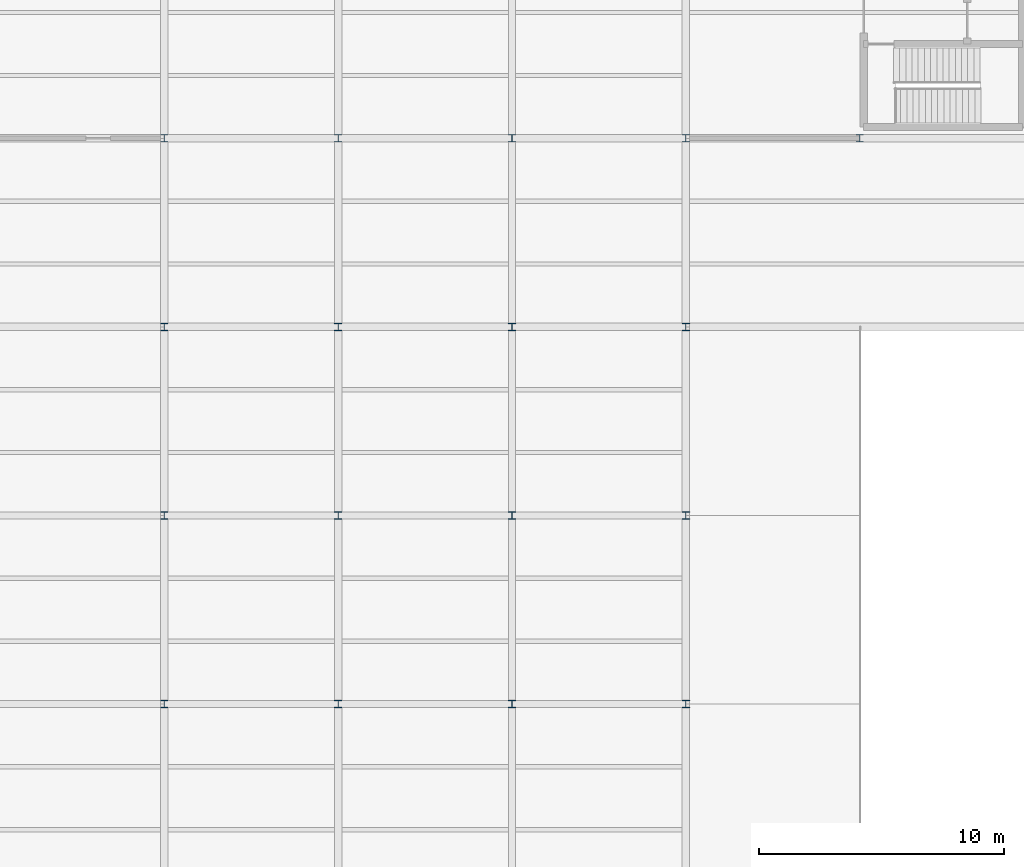
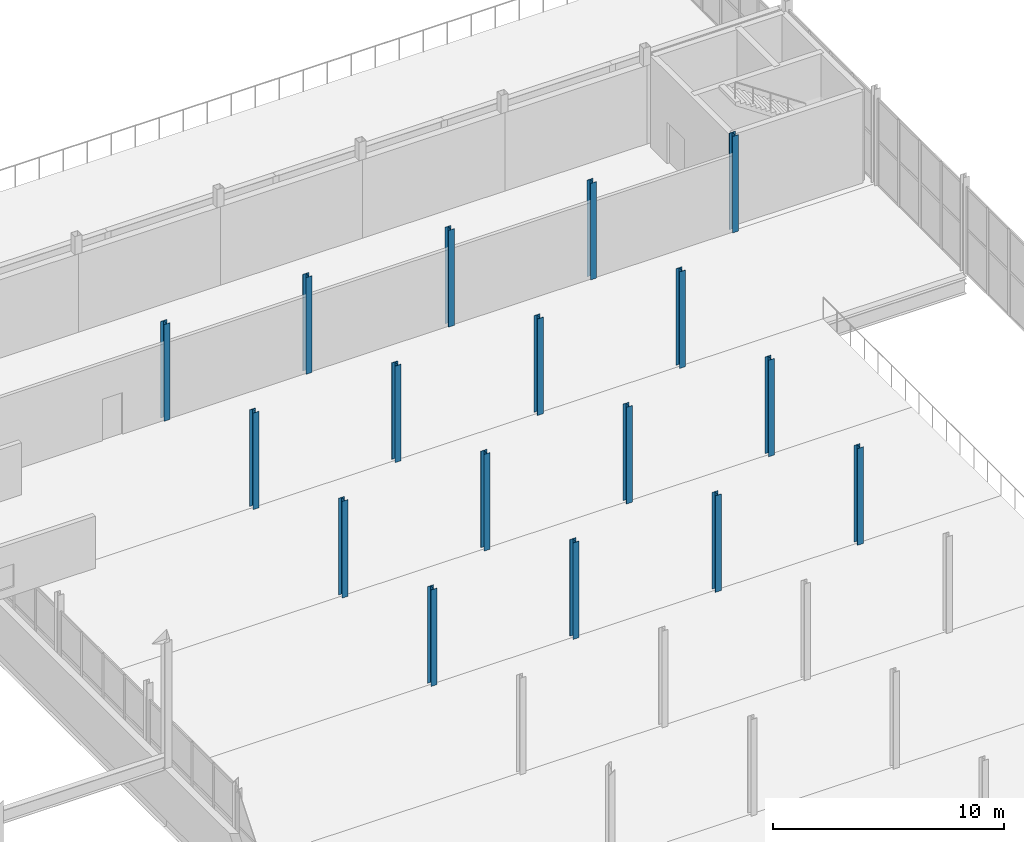
# One storey, part 22 of 218: 17 columns.
"""IFC4 building model written with IfcOpenShell, lengths in metres."""

from ifc_helpers import new_model, si_unit, direction, frame, origin, origin_2d, place, context, subcontext, project, spatial, i_section, extrude, material, material_profile, profile_set, type_object, element, save


model = new_model("IFC4")

# Units and contexts
model_context = context("Model", 3, precision=1e-05, world=origin(), true_north=direction((0.0, 1.0)))
body_context = subcontext(model_context, "Body", "Model", "MODEL_VIEW")
ifc_project = project(units=[si_unit("LENGTHUNIT", "METRE"), si_unit("AREAUNIT", "SQUARE_METRE"), si_unit("VOLUMEUNIT", "CUBIC_METRE"), si_unit("PLANEANGLEUNIT", "RADIAN"), si_unit("MASSUNIT", "GRAM", prefix="KILO")], contexts=[model_context])

# Site, building, storey
site_placement = place(None, origin())
site = spatial("IfcSite", under=ifc_project, at=site_placement, CompositionType="ELEMENT")
building_placement = place(site_placement, origin())
building = spatial("IfcBuilding", under=site, at=building_placement, Name="Kazenagashi Tramway Depot", CompositionType="ELEMENT")
storey_placement = place(building_placement, frame((0.0, 0.0, 6.0)))
storey = spatial("IfcBuildingStorey", under=building, at=storey_placement, Name="L02", CompositionType="ELEMENT", Elevation=6.0)

# Columns
ifc_material = material(Name="Steel SN490B", Category="steel")
ifc_material_profile = material_profile(ifc_material, i_section(OverallWidth=0.3, OverallDepth=0.3, WebThickness=0.01, FlangeThickness=0.015, at=origin_2d()), Name="H-300x300x10x15")
ifc_profile_set = profile_set([ifc_material_profile], Name="Steel SN490B")
column_type = type_object("IfcColumnType", Name="C-05", PredefinedType="COLUMN", material=ifc_profile_set)
for number, where, z_axis, x_axis, name in (
    (1, (160.5, 38.5, 0.0), (0.0, 0.0, 1.0), (1.0, 0.0, 0.0), "Column C-05 COL-0405"),
    (2, (160.5, 46.2, 0.0), (0.0, 0.0, 1.0), (1.0, 0.0, 0.0), "Column C-05 COL-0408"),
    (3, (160.5, 53.9, 0.0), (0.0, 0.0, 1.0), (1.0, 0.0, 0.0), "Column C-05 COL-0411"),
    (4, (160.5, 61.6, 0.0), (0.0, 0.0, 1.0), (1.0, 0.0, 0.0), "Column C-05 COL-0414"),
    (5, (167.6, 38.5, 0.0), (0.0, 0.0, 1.0), (1.0, 0.0, 0.0), "Column C-05 COL-0430"),
    (6, (167.6, 46.2, 0.0), (0.0, 0.0, 1.0), (1.0, 0.0, 0.0), "Column C-05 COL-0433"),
    (7, (167.6, 53.9, 0.0), (0.0, 0.0, 1.0), (1.0, 0.0, 0.0), "Column C-05 COL-0436"),
    (8, (167.6, 61.6, 0.0), (0.0, 0.0, 1.0), (1.0, 0.0, 0.0), "Column C-05 COL-0439"),
    (9, (174.7, 38.5, 0.0), (0.0, 0.0, 1.0), (1.0, 0.0, 0.0), "Column C-05 COL-0455"),
    (10, (174.7, 46.2, 0.0), (0.0, 0.0, 1.0), (1.0, 0.0, 0.0), "Column C-05 COL-0458"),
    (11, (174.7, 53.9, 0.0), (0.0, 0.0, 1.0), (1.0, 0.0, 0.0), "Column C-05 COL-0461"),
    (12, (174.7, 61.6, 0.0), (0.0, 0.0, 1.0), (1.0, 0.0, 0.0), "Column C-05 COL-0464"),
    (13, (181.8, 38.5, 0.0), (0.0, 0.0, 1.0), (1.0, 0.0, 0.0), "Column C-05 COL-0480"),
    (14, (181.8, 46.2, 0.0), (0.0, 0.0, 1.0), (1.0, 0.0, 0.0), "Column C-05 COL-0483"),
    (15, (181.8, 53.9, 0.0), (0.0, 0.0, 1.0), (1.0, 0.0, 0.0), "Column C-05 COL-0486"),
    (16, (181.8, 61.6, 0.0), (0.0, 0.0, 1.0), (1.0, 0.0, 0.0), "Column C-05 COL-0489"),
    (17, (188.9, 61.6, 0.0), (0.0, 0.0, 1.0), (1.0, 0.0, 0.0), "Column C-05 COL-0499"),
):
    element("IfcColumn", number, at=place(storey_placement, frame(where, z_axis=z_axis, x_axis=x_axis)), inside=storey, type_object=column_type, Name=name, PredefinedType="COLUMN", context=body_context, shape_type="SweptSolid", body=[
        extrude(i_section(OverallWidth=0.3, OverallDepth=0.3, WebThickness=0.01, FlangeThickness=0.015, at=origin_2d()), origin(), (0.0, 0.0, 1.0), 5.1),
    ])

save(model, "model.ifc")
